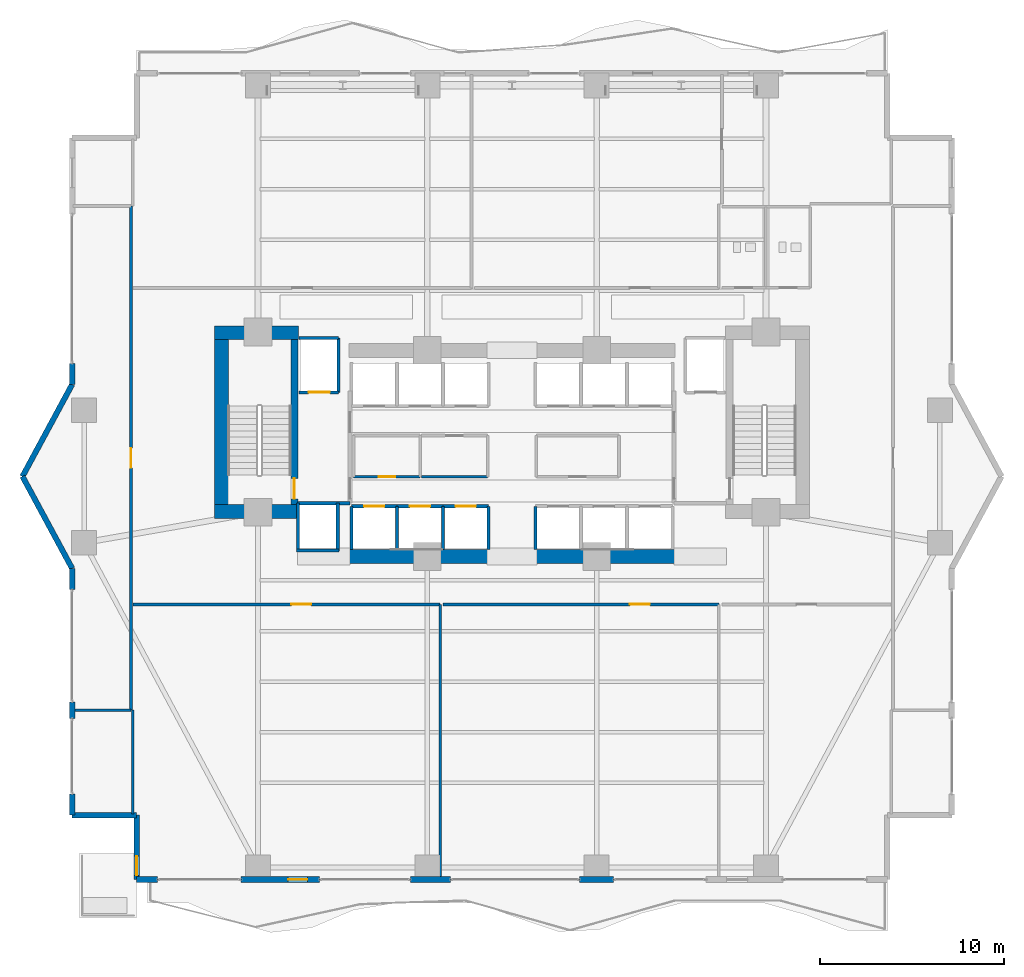
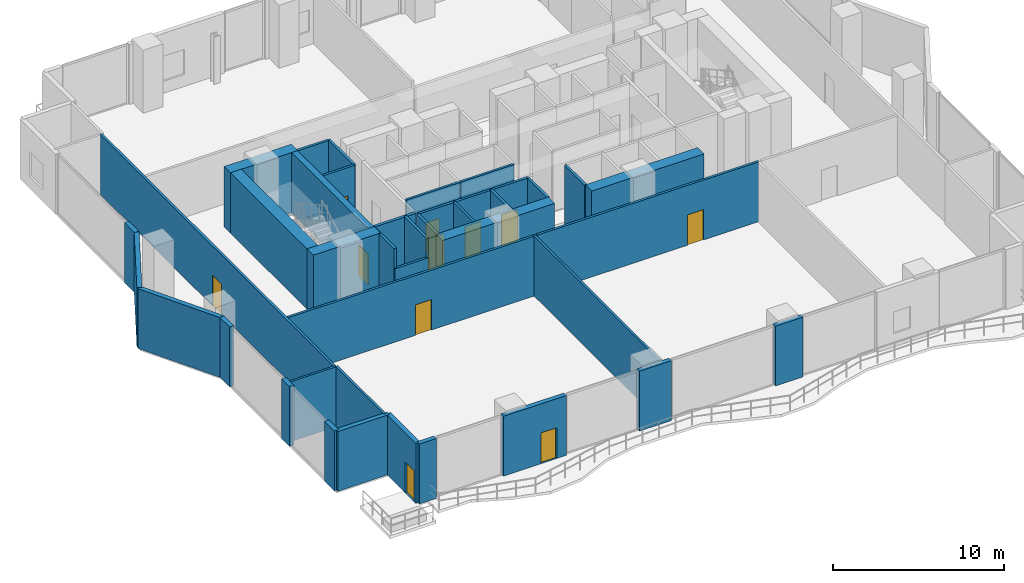
# One storey, part 26 of 33: 41 walls, 11 doors, 11 openings.
"""IFC4 building model written with IfcOpenShell, lengths in metres."""

from ifc_helpers import new_model, si_unit, direction, frame, frame_2d, origin, place, context, subcontext, project, spatial, rectangle, extrude, material, layer, layer_set, type_object, element, fill, save


model = new_model("IFC4")

# Units and contexts
model_context = context("Model", 3, precision=1e-05, world=origin(), true_north=direction((0.0, 1.0)))
body_context = subcontext(model_context, "Body", "Model", "MODEL_VIEW")
ifc_project = project(units=[si_unit("LENGTHUNIT", "METRE"), si_unit("AREAUNIT", "SQUARE_METRE"), si_unit("VOLUMEUNIT", "CUBIC_METRE"), si_unit("PLANEANGLEUNIT", "RADIAN"), si_unit("MASSUNIT", "GRAM", prefix="KILO")], contexts=[model_context])

# Site, building, storey
site_placement = place(None, origin())
site = spatial("IfcSite", under=ifc_project, at=site_placement, CompositionType="ELEMENT")
building_placement = place(site_placement, origin())
building = spatial("IfcBuilding", under=site, at=building_placement, Name="Zuhayl Quay Hotel", CompositionType="ELEMENT")
storey_placement = place(building_placement, frame((0.0, 0.0, 154.050048828125)))
storey = spatial("IfcBuildingStorey", under=building, at=storey_placement, Name="L39", CompositionType="ELEMENT", Elevation=154.050048828125)

# Walls
ifc_material_1 = material(Name="Concrete C60/75", Category="concrete")
ifc_layer_1 = layer(ifc_material_1, 0.75, Name="Concrete C60/75", Category="concrete")
ifc_layer_set_1 = layer_set([ifc_layer_1], Name="Concrete C60/75")
wall_type_1 = type_object("IfcWallType", Name="WL_CORE_750", PredefinedType="SHEAR", material=ifc_layer_set_1)
wall_1_placement = place(storey_placement, frame((-16.159912109375, 14.304931640625, 0.0), z_axis=(0.0, 0.0, 1.0), x_axis=(1.0, 0.0, 0.0)))
element("IfcWall", 1, at=wall_1_placement, inside=storey, type_object=wall_type_1, Name="L39 Core Shear Wall CW_NW", PredefinedType="SHEAR", context=body_context, shape_type="SweptSolid", body=[
    extrude(rectangle(XDim=4.559814453125, YDim=0.75, at=frame_2d((2.27978515625, 0.0))), origin(), (0.0, 0.0, 1.0), 4.31005859375),
])
wall_2_placement = place(storey_placement, frame((-15.784912109375, 4.969970703125, 0.0), z_axis=(0.0, 0.0, 1.0), x_axis=(0.0, 1.0, 0.0)))
element("IfcWall", 2, at=wall_2_placement, inside=storey, type_object=wall_type_1, Name="L39 Core Shear Wall CW_W", PredefinedType="SHEAR", context=body_context, shape_type="SweptSolid", body=[
    extrude(rectangle(XDim=8.9599609375, YDim=0.75, at=frame_2d((4.47998046875, 0.0))), origin(), (0.0, 0.0, 1.0), 4.31005859375),
])
wall_3_placement = place(storey_placement, frame((-16.159912109375, 4.594970703125, 0.0), z_axis=(0.0, 0.0, 1.0), x_axis=(1.0, 0.0, 0.0)))
element("IfcWall", 3, at=wall_3_placement, inside=storey, type_object=wall_type_1, Name="L39 Core Shear Wall CW_SW", PredefinedType="SHEAR", context=body_context, shape_type="SweptSolid", body=[
    extrude(rectangle(XDim=4.559814453125, YDim=0.75, at=frame_2d((2.27978515625, 0.0))), origin(), (0.0, 0.0, 1.0), 4.31005859375),
])
for number, where, z_axis, x_axis, name in (
    (4, (-8.85009765625, 2.14990234375, 0.0), (0.0, 0.0, 1.0), (1.0, 0.0, 0.0), "L39 Core Shear Wall CW_SC_W"),
    (5, (1.25, 2.14990234375, 0.0), (0.0, 0.0, 1.0), (1.0, 0.0, 0.0), "L39 Core Shear Wall CW_SC_E"),
):
    element("IfcWall", number, at=place(storey_placement, frame(where, z_axis=z_axis, x_axis=x_axis)), inside=storey, type_object=wall_type_1, Name=name, PredefinedType="SHEAR", context=body_context, shape_type="SweptSolid", body=[
        extrude(rectangle(XDim=7.60009765625, YDim=0.75, at=frame_2d((3.800048828125, 0.0))), origin(), (0.0, 0.0, 1.0), 4.280029296875),
    ])
ifc_material_2 = material(Name="Precast concrete C45/55", Category="concrete")
ifc_layer_2 = layer(ifc_material_2, 0.300048828125, Name="Precast concrete C45/55", Category="concrete")
ifc_layer_set_2 = layer_set([ifc_layer_2], Name="Precast concrete C45/55")
wall_type_2 = type_object("IfcWallType", Name="WL_EXT_300", PredefinedType="STANDARD", material=ifc_layer_set_2)
wall_4_placement = place(storey_placement, frame((-20.39990234375, -11.89990234375, 0.0), z_axis=(0.0, 0.0, 1.0), x_axis=(-1.0, 0.0, 0.0)))
element("IfcWall", 6, at=wall_4_placement, inside=storey, type_object=wall_type_2, Name="L39 Exterior Precast Wall ENV_L39_EW01", PredefinedType="STANDARD", context=body_context, shape_type="SweptSolid", body=[
    extrude(rectangle(XDim=3.5, YDim=0.300048828125, at=frame_2d((1.75, 0.0))), origin(), (0.0, 0.0, 1.0), 4.280029296875),
])
wall_5_placement = place(storey_placement, frame((-23.89990234375, -11.89990234375, 0.0), z_axis=(0.0, 0.0, 1.0), x_axis=(0.0, 1.0, 0.0)))
element("IfcWall", 7, at=wall_5_placement, inside=storey, type_object=wall_type_2, Name="L39 Exterior Precast Wall ENV_L39_E02_EW1", PredefinedType="STANDARD", context=body_context, shape_type="SweptSolid", body=[
    extrude(rectangle(XDim=1.14990234375, YDim=0.300048828125, at=frame_2d((0.574951171875, 0.0))), origin(), (0.0, 0.0, 1.0), 4.280029296875),
])
wall_6_placement = place(storey_placement, frame((-23.89990234375, -6.64990234375, 0.0), z_axis=(0.0, 0.0, 1.0), x_axis=(0.0, 1.0, 0.0)))
element("IfcWall", 8, at=wall_6_placement, inside=storey, type_object=wall_type_2, Name="L39 Exterior Precast Wall ENV_L39_E02_EW2", PredefinedType="STANDARD", context=body_context, shape_type="SweptSolid", body=[
    extrude(rectangle(XDim=0.89990234375, YDim=0.300048828125, at=frame_2d((0.449951171875, 0.0))), origin(), (0.0, 0.0, 1.0), 4.280029296875),
])
wall_7_placement = place(storey_placement, frame((-23.89990234375, 0.35009765625, 0.0), z_axis=(0.0, 0.0, 1.0), x_axis=(0.0, 1.0, 0.0)))
element("IfcWall", 9, at=wall_7_placement, inside=storey, type_object=wall_type_2, Name="L39 Exterior Precast Wall ENV_L39_E02_EW3", PredefinedType="STANDARD", context=body_context, shape_type="SweptSolid", body=[
    extrude(rectangle(XDim=1.14990234375, YDim=0.300048828125, at=frame_2d((0.574951171875, 0.0))), origin(), (0.0, 0.0, 1.0), 4.280029296875),
])
for number, where, z_axis, x_axis, name in (
    (10, (-23.89990234375, 1.5, 0.0), (0.0, 0.0, 1.0), (-0.475175525499, 0.879891027325, 0.0), "L39 Exterior Precast Wall ENV_L39_EW03"),
    (11, (-26.60009765625, 6.5, 0.0), (0.0, 0.0, 1.0), (0.475175525499, 0.879891027325, 0.0), "L39 Exterior Precast Wall ENV_L39_EW04"),
):
    element("IfcWall", number, at=place(storey_placement, frame(where, z_axis=z_axis, x_axis=x_axis)), inside=storey, type_object=wall_type_2, Name=name, PredefinedType="STANDARD", context=body_context, shape_type="SweptSolid", body=[
        extrude(rectangle(XDim=5.6826171875, YDim=0.300048828125, at=frame_2d((2.84130859375, 0.0))), origin(), (0.0, 0.0, 1.0), 4.280029296875),
    ])
wall_8_placement = place(storey_placement, frame((-23.89990234375, 11.5, 0.0), z_axis=(0.0, 0.0, 1.0), x_axis=(0.0, 1.0, 0.0)))
element("IfcWall", 12, at=wall_8_placement, inside=storey, type_object=wall_type_2, Name="L39 Exterior Precast Wall ENV_L39_E05_EW1", PredefinedType="STANDARD", context=body_context, shape_type="SweptSolid", body=[
    extrude(rectangle(XDim=1.14990234375, YDim=0.300048828125, at=frame_2d((0.574951171875, 0.0))), origin(), (0.0, 0.0, 1.0), 4.280029296875),
])
wall_9_placement = place(storey_placement, frame((5.52001953125, -15.39990234375, 0.0), z_axis=(0.0, 0.0, 1.0), x_axis=(-1.0, 0.0, 0.0)))
element("IfcWall", 13, at=wall_9_placement, inside=storey, type_object=wall_type_2, Name="L39 Exterior Precast Wall ENV_L39_S_EW3", PredefinedType="STANDARD", context=body_context, shape_type="SweptSolid", body=[
    extrude(rectangle(XDim=1.840087890625, YDim=0.300048828125, at=frame_2d((0.919921875, 0.0))), origin(), (0.0, 0.0, 1.0), 4.280029296875),
])
wall_10_placement = place(storey_placement, frame((-3.35009765625, -15.39990234375, 0.0), z_axis=(0.0, 0.0, 1.0), x_axis=(-1.0, 0.0, 0.0)))
element("IfcWall", 14, at=wall_10_placement, inside=storey, type_object=wall_type_2, Name="L39 Exterior Precast Wall ENV_L39_S_EW4", PredefinedType="STANDARD", context=body_context, shape_type="SweptSolid", body=[
    extrude(rectangle(XDim=2.169921875, YDim=0.300048828125, at=frame_2d((1.0849609375, 0.0))), origin(), (0.0, 0.0, 1.0), 4.280029296875),
])

# Wall, opening, door
wall_11_placement = place(storey_placement, frame((-10.465087890625, -15.39990234375, 0.0), z_axis=(0.0, 0.0, 1.0), x_axis=(-1.0, 0.0, 0.0)))
wall_11 = element("IfcWall", 15, at=wall_11_placement, inside=storey, type_object=wall_type_2, Name="L39 Exterior Precast Wall ENV_L39_S_EW5", PredefinedType="STANDARD", context=body_context, shape_type="SweptSolid", body=[
    extrude(rectangle(XDim=4.2548828125, YDim=0.300048828125, at=frame_2d((2.12744140625, 0.0))), origin(), (0.0, 0.0, 1.0), 4.280029296875),
])
opening_1_placement = place(wall_11_placement, frame((0.64990234375, 0.0, 0.0)))
opening_1 = element("IfcOpeningElement", 16, at=opening_1_placement, cuts=wall_11, Name="Opening DG1", PredefinedType="OPENING", context=body_context, shape_type="SweptSolid", body=[
    extrude(rectangle(XDim=1.050048828125, YDim=2.199951171875, at=frame_2d((0.52490234375, 1.10009765625))), frame((0.0, 0.159912109375, 0.0), z_axis=(0.0, -1.0, 0.0), x_axis=(1.0, 0.0, 0.0)), (0.0, 0.0, 1.0), 0.320068359375),
])
ifc_material_3 = material(Name="Anodised Aluminium and Dark Solar Glass", Category="aluminium")
door_type_1 = type_object("IfcDoorType", Name="DR_EXT_TERR_1050", OperationType="NOTDEFINED", PredefinedType="DOOR", material=ifc_material_3)
door_1_placement = place(opening_1_placement, origin())
door_1 = element("IfcDoor", 17, at=door_1_placement, inside=storey, type_object=door_type_1, Name="L39 South Rippling Balcony Door", OperationType="SINGLE_SWING_RIGHT", OverallHeight=2.199951171875, OverallWidth=1.050048828125, PredefinedType="DOOR", context=body_context, shape_type="SweptSolid", body=[
    extrude(rectangle(XDim=1.050048828125, YDim=2.199951171875, at=frame_2d((0.52490234375, 1.10009765625))), frame((0.0, 0.02490234375, 0.0), z_axis=(0.0, -1.0, 0.0), x_axis=(1.0, 0.0, 0.0)), (0.0, 0.0, 1.0), 0.050048828125),
])
fill(opening_1, door_1)

# Wall
wall_12_placement = place(storey_placement, frame((-19.25, -15.39990234375, 0.0), z_axis=(0.0, 0.0, 1.0), x_axis=(-1.0, 0.0, 0.0)))
element("IfcWall", 18, at=wall_12_placement, inside=storey, type_object=wall_type_2, Name="L39 Exterior Precast Wall ENV_L39_S_EW6", PredefinedType="STANDARD", context=body_context, shape_type="SweptSolid", body=[
    extrude(rectangle(XDim=1.14990234375, YDim=0.300048828125, at=frame_2d((0.574951171875, 0.0))), origin(), (0.0, 0.0, 1.0), 4.280029296875),
])

# Wall, opening, door
wall_13_placement = place(storey_placement, frame((-20.39990234375, -15.39990234375, 0.0), z_axis=(0.0, 0.0, 1.0), x_axis=(0.0, 1.0, 0.0)))
wall_13 = element("IfcWall", 19, at=wall_13_placement, inside=storey, type_object=wall_type_2, Name="L39 Exterior Precast Wall ENV_L39_SP_SW", PredefinedType="STANDARD", context=body_context, shape_type="SweptSolid", body=[
    extrude(rectangle(XDim=3.5, YDim=0.300048828125, at=frame_2d((1.75, 0.0))), origin(), (0.0, 0.0, 1.0), 4.280029296875),
])
opening_2_placement = place(wall_13_placement, frame((0.219970703125, 0.0, 0.0)))
opening_2 = element("IfcOpeningElement", 20, at=opening_2_placement, cuts=wall_13, Name="Opening DG1", PredefinedType="OPENING", context=body_context, shape_type="SweptSolid", body=[
    extrude(rectangle(XDim=1.050048828125, YDim=2.199951171875, at=frame_2d((0.52490234375, 1.10009765625))), frame((0.0, 0.159912109375, 0.0), z_axis=(0.0, -1.0, 0.0), x_axis=(1.0, 0.0, 0.0)), (0.0, 0.0, 1.0), 0.320068359375),
])
door_2_placement = place(opening_2_placement, origin())
door_2 = element("IfcDoor", 21, at=door_2_placement, inside=storey, type_object=door_type_1, Name="L39 Spiral Sky-Terrace SW Access Door", OperationType="SINGLE_SWING_LEFT", OverallHeight=2.199951171875, OverallWidth=1.050048828125, PredefinedType="DOOR", context=body_context, shape_type="SweptSolid", body=[
    extrude(rectangle(XDim=1.050048828125, YDim=2.199951171875, at=frame_2d((0.52490234375, 1.10009765625))), frame((0.0, 0.02490234375, 0.0), z_axis=(0.0, -1.0, 0.0), x_axis=(1.0, 0.0, 0.0)), (0.0, 0.0, 1.0), 0.050048828125),
])
fill(opening_2, door_2)

ifc_material_4 = material(Name="Acoustic Gypsum Partition STC-58")
ifc_layer_3 = layer(ifc_material_4, 0.14990234375, Name="Acoustic Gypsum Partition STC-58")
ifc_layer_set_3 = layer_set([ifc_layer_3], Name="Acoustic Gypsum Partition STC-58")
wall_type_3 = type_object("IfcWallType", Name="WL_PART_150", PredefinedType="PARTITIONING", material=ifc_layer_set_3)
wall_14_placement = place(storey_placement, frame((-8.610107421875, 6.47998046875, 0.0), z_axis=(0.0, 0.0, 1.0), x_axis=(1.0, 0.0, 0.0)))
wall_14 = element("IfcWall", 22, at=wall_14_placement, inside=storey, type_object=wall_type_3, Name="L39 Partition IW_L39_CORE_SW_S", PredefinedType="PARTITIONING", context=body_context, shape_type="SweptSolid", body=[
    extrude(rectangle(XDim=3.6201171875, YDim=0.14990234375, at=frame_2d((1.81005859375, 0.0))), origin(), (0.0, 0.0, 1.0), 4.280029296875),
])
opening_3_placement = place(wall_14_placement, frame((1.360107421875, 0.0, 0.0)))
opening_3 = element("IfcOpeningElement", 23, at=opening_3_placement, cuts=wall_14, Name="Opening D06", PredefinedType="OPENING", context=body_context, shape_type="SweptSolid", body=[
    extrude(rectangle(XDim=0.89990234375, YDim=2.14990234375, at=frame_2d((0.449951171875, 1.074951171875))), frame((0.0, 0.0849609375, 0.0), z_axis=(0.0, -1.0, 0.0), x_axis=(1.0, 0.0, 0.0)), (0.0, 0.0, 1.0), 0.169921875),
])
ifc_material_5 = material(Name="Steel ASTM A992 Grade 50", Category="steel")
door_type_2 = type_object("IfcDoorType", Name="DR_INT_900", OperationType="NOTDEFINED", PredefinedType="DOOR", material=ifc_material_5)
door_3_placement = place(opening_3_placement, origin())
door_3 = element("IfcDoor", 24, at=door_3_placement, inside=storey, type_object=door_type_2, Name="L39 Floor Switchgear Closet Door", OperationType="SINGLE_SWING_RIGHT", OverallHeight=2.14990234375, OverallWidth=0.89990234375, PredefinedType="DOOR", context=body_context, shape_type="SweptSolid", body=[
    extrude(rectangle(XDim=0.89990234375, YDim=2.14990234375, at=frame_2d((0.449951171875, 1.074951171875))), frame((0.0, 0.02490234375, 0.0), z_axis=(0.0, -1.0, 0.0), x_axis=(1.0, 0.0, 0.0)), (0.0, 0.0, 1.0), 0.050048828125),
])
fill(opening_3, door_3)

# Walls
wall_15_placement = place(storey_placement, frame((-4.929931640625, 6.47998046875, 0.0), z_axis=(0.0, 0.0, 1.0), x_axis=(1.0, 0.0, 0.0)))
element("IfcWall", 25, at=wall_15_placement, inside=storey, type_object=wall_type_3, Name="L39 Partition IW_L39_CORE_BM_S", PredefinedType="PARTITIONING", context=body_context, shape_type="SweptSolid", body=[
    extrude(rectangle(XDim=3.60986328125, YDim=0.14990234375, at=frame_2d((1.804931640625, 0.0))), origin(), (0.0, 0.0, 1.0), 4.280029296875),
])
wall_16_placement = place(storey_placement, frame((-23.840087890625, -6.199951171875, 0.0), z_axis=(0.0, 0.0, 1.0), x_axis=(1.0, 0.0, 0.0)))
element("IfcWall", 26, at=wall_16_placement, inside=storey, type_object=wall_type_3, Name="L39 Partition IW_L39_SKY_VIP_W_S", PredefinedType="PARTITIONING", context=body_context, shape_type="SweptSolid", body=[
    extrude(rectangle(XDim=3.14013671875, YDim=0.14990234375, at=frame_2d((1.570068359375, 0.0))), origin(), (0.0, 0.0, 1.0), 4.280029296875),
])
wall_17_placement = place(storey_placement, frame((-20.60009765625, -11.840087890625, 0.0), z_axis=(0.0, 0.0, 1.0), x_axis=(0.0, 1.0, 0.0)))
element("IfcWall", 27, at=wall_17_placement, inside=storey, type_object=wall_type_3, Name="L39 Partition IW_L39_CONCIERGE_W", PredefinedType="PARTITIONING", context=body_context, shape_type="SweptSolid", body=[
    extrude(rectangle(XDim=5.64013671875, YDim=0.14990234375, at=frame_2d((2.820068359375, 0.0))), origin(), (0.0, 0.0, 1.0), 4.280029296875),
])
wall_18_placement = place(storey_placement, frame((-3.89990234375, -15.340087890625, 0.0), z_axis=(0.0, 0.0, 1.0), x_axis=(0.0, 1.0, 0.0)))
element("IfcWall", 28, at=wall_18_placement, inside=storey, type_object=wall_type_3, Name="L39 Partition IW_L39_CONCIERGE_E", PredefinedType="PARTITIONING", context=body_context, shape_type="SweptSolid", body=[
    extrude(rectangle(XDim=14.89013671875, YDim=0.14990234375, at=frame_2d((7.445068359375, 0.0))), origin(), (0.0, 0.0, 1.0), 4.280029296875),
])

# Wall, opening, door
ifc_layer_4 = layer(ifc_material_4, 0.159912109375, Name="Acoustic Gypsum Partition STC-58")
ifc_layer_set_4 = layer_set([ifc_layer_4], Name="Acoustic Gypsum Partition STC-58")
wall_type_4 = type_object("IfcWallType", Name="WL_PART_CORR_160", PredefinedType="PARTITIONING", material=ifc_layer_set_4)
wall_19_placement = place(storey_placement, frame((-20.699951171875, -6.199951171875, 0.0), z_axis=(0.0, 0.0, 1.0), x_axis=(0.0, 1.0, 0.0)))
wall_19 = element("IfcWall", 29, at=wall_19_placement, inside=storey, type_object=wall_type_4, Name="L39 Partition IW_L39_SKY_VIP_W_E", PredefinedType="PARTITIONING", context=body_context, shape_type="SweptSolid", body=[
    extrude(rectangle(XDim=27.39990234375, YDim=0.159912109375, at=frame_2d((13.699951171875, 0.0))), origin(), (0.0, 0.0, 1.0), 4.280029296875),
])
opening_4_placement = place(wall_19_placement, frame((13.159912109375, 0.0, 0.0)))
opening_4 = element("IfcOpeningElement", 30, at=opening_4_placement, cuts=wall_19, Name="Opening D05A", PredefinedType="OPENING", context=body_context, shape_type="SweptSolid", body=[
    extrude(rectangle(XDim=1.080078125, YDim=2.179931640625, at=frame_2d((0.5400390625, 1.08984375))), frame((0.0, 0.08984375, 0.0), z_axis=(0.0, -1.0, 0.0), x_axis=(1.0, 0.0, 0.0)), (0.0, 0.0, 1.0), 0.179931640625),
])
ifc_material_6 = material(Name="Solid Walnut Acoustic Fire Door")
door_type_3 = type_object("IfcDoorType", Name="DR_INT_1100", OperationType="NOTDEFINED", PredefinedType="DOOR", material=ifc_material_6)
door_4_placement = place(opening_4_placement, origin())
door_4 = element("IfcDoor", 31, at=door_4_placement, inside=storey, type_object=door_type_3, Name="L39 West Prow Panorama Gallery Door", OperationType="SINGLE_SWING_RIGHT", OverallHeight=2.179931640625, OverallWidth=1.080078125, PredefinedType="DOOR", context=body_context, shape_type="SweptSolid", body=[
    extrude(rectangle(XDim=1.080078125, YDim=2.179931640625, at=frame_2d((0.5400390625, 1.08984375))), frame((0.0, 0.02490234375, 0.0), z_axis=(0.0, -1.0, 0.0), x_axis=(1.0, 0.0, 0.0)), (0.0, 0.0, 1.0), 0.050048828125),
])
fill(opening_4, door_4)

wall_20_placement = place(storey_placement, frame((-20.60009765625, -0.449951171875, 0.0), z_axis=(0.0, 0.0, 1.0), x_axis=(1.0, 0.0, 0.0)))
wall_20 = element("IfcWall", 32, at=wall_20_placement, inside=storey, type_object=wall_type_4, Name="L39 Partition IW_L39_CONCIERGE_N", PredefinedType="PARTITIONING", context=body_context, shape_type="SweptSolid", body=[
    extrude(rectangle(XDim=16.7001953125, YDim=0.159912109375, at=frame_2d((8.35009765625, 0.0))), origin(), (0.0, 0.0, 1.0), 4.280029296875),
])
opening_5_placement = place(wall_20_placement, frame((8.610107421875, 0.0, 0.0)))
opening_5 = element("IfcOpeningElement", 33, at=opening_5_placement, cuts=wall_20, Name="Opening D05A", PredefinedType="OPENING", context=body_context, shape_type="SweptSolid", body=[
    extrude(rectangle(XDim=1.080078125, YDim=2.179931640625, at=frame_2d((0.5400390625, 1.08984375))), frame((0.0, 0.08984375, 0.0), z_axis=(0.0, -1.0, 0.0), x_axis=(1.0, 0.0, 0.0)), (0.0, 0.0, 1.0), 0.179931640625),
])
door_5_placement = place(opening_5_placement, origin())
door_5 = element("IfcDoor", 34, at=door_5_placement, inside=storey, type_object=door_type_3, Name="L39 Sky Concierge and Transfer Desk Door", OperationType="SINGLE_SWING_LEFT", OverallHeight=2.179931640625, OverallWidth=1.080078125, PredefinedType="DOOR", context=body_context, shape_type="SweptSolid", body=[
    extrude(rectangle(XDim=1.080078125, YDim=2.179931640625, at=frame_2d((0.5400390625, 1.08984375))), frame((0.0, 0.02490234375, 0.0), z_axis=(0.0, -1.0, 0.0), x_axis=(1.0, 0.0, 0.0)), (0.0, 0.0, 1.0), 0.050048828125),
])
fill(opening_5, door_5)

wall_21_placement = place(storey_placement, frame((-3.739990234375, -0.449951171875, 0.0), z_axis=(0.0, 0.0, 1.0), x_axis=(1.0, 0.0, 0.0)))
wall_21 = element("IfcWall", 35, at=wall_21_placement, inside=storey, type_object=wall_type_4, Name="L39 Partition IW_L39_EXEC_MEET_N", PredefinedType="PARTITIONING", context=body_context, shape_type="SweptSolid", body=[
    extrude(rectangle(XDim=14.97998046875, YDim=0.159912109375, at=frame_2d((7.489990234375, 0.0))), origin(), (0.0, 0.0, 1.0), 4.280029296875),
])
opening_6_placement = place(wall_21_placement, frame((10.14990234375, 0.0, 0.0)))
opening_6 = element("IfcOpeningElement", 36, at=opening_6_placement, cuts=wall_21, Name="Opening D05A", PredefinedType="OPENING", context=body_context, shape_type="SweptSolid", body=[
    extrude(rectangle(XDim=1.080078125, YDim=2.179931640625, at=frame_2d((0.5400390625, 1.08984375))), frame((0.0, 0.08984375, 0.0), z_axis=(0.0, -1.0, 0.0), x_axis=(1.0, 0.0, 0.0)), (0.0, 0.0, 1.0), 0.179931640625),
])
door_6_placement = place(opening_6_placement, origin())
door_6 = element("IfcDoor", 37, at=door_6_placement, inside=storey, type_object=door_type_3, Name="L39 Sky Transfer VIP Boardroom Door", OperationType="SINGLE_SWING_RIGHT", OverallHeight=2.179931640625, OverallWidth=1.080078125, PredefinedType="DOOR", context=body_context, shape_type="SweptSolid", body=[
    extrude(rectangle(XDim=1.080078125, YDim=2.179931640625, at=frame_2d((0.5400390625, 1.08984375))), frame((0.0, 0.02490234375, 0.0), z_axis=(0.0, -1.0, 0.0), x_axis=(1.0, 0.0, 0.0)), (0.0, 0.0, 1.0), 0.050048828125),
])
fill(opening_6, door_6)

ifc_material_7 = material(Name="Gypsum Fireboard Assembly EI-90")
ifc_layer_5 = layer(ifc_material_7, 0.1650390625, Name="Gypsum Fireboard Assembly EI-90")
ifc_layer_set_5 = layer_set([ifc_layer_5], Name="Gypsum Fireboard Assembly EI-90")
wall_type_5 = type_object("IfcWallType", Name="WL_PART_SHAFT_160", PredefinedType="PARTITIONING", material=ifc_layer_set_5)
wall_22_placement = place(storey_placement, frame((-11.580078125, 11.070068359375, 0.0), z_axis=(0.0, 0.0, 1.0), x_axis=(1.0, 0.0, 0.0)))
wall_22 = element("IfcWall", 38, at=wall_22_placement, inside=storey, type_object=wall_type_5, Name="L39 Partition IW_L39_SH_FL1_F", PredefinedType="PARTITIONING", context=body_context, shape_type="SweptSolid", body=[
    extrude(rectangle(XDim=2.16015625, YDim=0.1650390625, at=frame_2d((1.080078125, 0.0))), origin(), (0.0, 0.0, 1.0), 4.280029296875),
])
opening_7_placement = place(wall_22_placement, frame((0.530029296875, 0.0, 0.0)))
opening_7 = element("IfcOpeningElement", 39, at=opening_7_placement, cuts=wall_22, Name="Opening LD2", PredefinedType="OPENING", context=body_context, shape_type="SweptSolid", body=[
    extrude(rectangle(XDim=1.14990234375, YDim=2.25, at=frame_2d((0.574951171875, 1.125))), frame((0.0, 0.092529296875, 0.0), z_axis=(0.0, -1.0, 0.0), x_axis=(1.0, 0.0, 0.0)), (0.0, 0.0, 1.0), 0.18505859375),
])
ifc_material_8 = material(Name="Brushed Stainless Steel", Category="steel")
door_type_4 = type_object("IfcDoorType", Name="DR_LIFT_FF_1100", OperationType="SLIDING_TO_LEFT", PredefinedType="DOOR", material=ifc_material_8)
door_7_placement = place(opening_7_placement, origin())
door_7 = element("IfcDoor", 40, at=door_7_placement, inside=storey, type_object=door_type_4, Name="L39 Lift FL1 Sliding Landing Door", OperationType="SLIDING_TO_LEFT", OverallHeight=2.25, OverallWidth=1.14990234375, PredefinedType="DOOR", context=body_context, shape_type="SweptSolid", body=[
    extrude(rectangle(XDim=1.14990234375, YDim=2.25, at=frame_2d((0.574951171875, 1.125))), frame((0.0, 0.02490234375, 0.0), z_axis=(0.0, -1.0, 0.0), x_axis=(1.0, 0.0, 0.0)), (0.0, 0.0, 1.0), 0.050048828125),
])
fill(opening_7, door_7)

wall_23_placement = place(storey_placement, frame((-8.72998046875, 4.8798828125, 0.0), z_axis=(0.0, 0.0, 1.0), x_axis=(1.0, 0.0, 0.0)))
wall_23 = element("IfcWall", 41, at=wall_23_placement, inside=storey, type_object=wall_type_5, Name="L39 Partition IW_L39_SH_LP1_F", PredefinedType="PARTITIONING", context=body_context, shape_type="SweptSolid", body=[
    extrude(rectangle(XDim=2.47998046875, YDim=0.1650390625, at=frame_2d((1.239990234375, 0.0))), origin(), (0.0, 0.0, 1.0), 4.280029296875),
])
opening_8_placement = place(wall_23_placement, frame((0.68994140625, 0.0, 0.0)))
opening_8 = element("IfcOpeningElement", 42, at=opening_8_placement, cuts=wall_23, Name="Opening LD1", PredefinedType="OPENING", context=body_context, shape_type="SweptSolid", body=[
    extrude(rectangle(XDim=1.10009765625, YDim=2.25, at=frame_2d((0.550048828125, 1.125))), frame((0.0, 0.092529296875, 0.0), z_axis=(0.0, -1.0, 0.0), x_axis=(1.0, 0.0, 0.0)), (0.0, 0.0, 1.0), 0.18505859375),
])
door_type_5 = type_object("IfcDoorType", Name="DR_LIFT_PASS_1100", OperationType="SLIDING_TO_LEFT", PredefinedType="DOOR", material=ifc_material_8)
door_8_placement = place(opening_8_placement, origin())
door_8 = element("IfcDoor", 43, at=door_8_placement, inside=storey, type_object=door_type_5, Name="L39 Lift LP1 Sliding Landing Door", OperationType="SLIDING_TO_LEFT", OverallHeight=2.25, OverallWidth=1.10009765625, PredefinedType="DOOR", context=body_context, shape_type="SweptSolid", body=[
    extrude(rectangle(XDim=1.10009765625, YDim=2.25, at=frame_2d((0.550048828125, 1.125))), frame((0.0, 0.02490234375, 0.0), z_axis=(0.0, -1.0, 0.0), x_axis=(1.0, 0.0, 0.0)), (0.0, 0.0, 1.0), 0.050048828125),
])
fill(opening_8, door_8)

wall_24_placement = place(storey_placement, frame((-6.25, 4.8798828125, 0.0), z_axis=(0.0, 0.0, 1.0), x_axis=(1.0, 0.0, 0.0)))
wall_24 = element("IfcWall", 44, at=wall_24_placement, inside=storey, type_object=wall_type_5, Name="L39 Partition IW_L39_SH_LP2_F", PredefinedType="PARTITIONING", context=body_context, shape_type="SweptSolid", body=[
    extrude(rectangle(XDim=2.5, YDim=0.1650390625, at=frame_2d((1.25, 0.0))), origin(), (0.0, 0.0, 1.0), 4.280029296875),
])
opening_9_placement = place(wall_24_placement, frame((0.699951171875, 0.0, 0.0)))
opening_9 = element("IfcOpeningElement", 45, at=opening_9_placement, cuts=wall_24, Name="Opening LD1", PredefinedType="OPENING", context=body_context, shape_type="SweptSolid", body=[
    extrude(rectangle(XDim=1.10009765625, YDim=2.25, at=frame_2d((0.550048828125, 1.125))), frame((0.0, 0.092529296875, 0.0), z_axis=(0.0, -1.0, 0.0), x_axis=(1.0, 0.0, 0.0)), (0.0, 0.0, 1.0), 0.18505859375),
])
door_9_placement = place(opening_9_placement, origin())
door_9 = element("IfcDoor", 46, at=door_9_placement, inside=storey, type_object=door_type_5, Name="L39 Lift LP2 Sliding Landing Door", OperationType="SLIDING_TO_LEFT", OverallHeight=2.25, OverallWidth=1.10009765625, PredefinedType="DOOR", context=body_context, shape_type="SweptSolid", body=[
    extrude(rectangle(XDim=1.10009765625, YDim=2.25, at=frame_2d((0.550048828125, 1.125))), frame((0.0, 0.02490234375, 0.0), z_axis=(0.0, -1.0, 0.0), x_axis=(1.0, 0.0, 0.0)), (0.0, 0.0, 1.0), 0.050048828125),
])
fill(opening_9, door_9)

wall_25_placement = place(storey_placement, frame((-3.75, 4.8798828125, 0.0), z_axis=(0.0, 0.0, 1.0), x_axis=(1.0, 0.0, 0.0)))
wall_25 = element("IfcWall", 47, at=wall_25_placement, inside=storey, type_object=wall_type_5, Name="L39 Partition IW_L39_SH_MP1_F", PredefinedType="PARTITIONING", context=body_context, shape_type="SweptSolid", body=[
    extrude(rectangle(XDim=2.47998046875, YDim=0.1650390625, at=frame_2d((1.239990234375, 0.0))), origin(), (0.0, 0.0, 1.0), 4.280029296875),
])
opening_10_placement = place(wall_25_placement, frame((0.68994140625, 0.0, 0.0)))
opening_10 = element("IfcOpeningElement", 48, at=opening_10_placement, cuts=wall_25, Name="Opening LD1", PredefinedType="OPENING", context=body_context, shape_type="SweptSolid", body=[
    extrude(rectangle(XDim=1.10009765625, YDim=2.25, at=frame_2d((0.550048828125, 1.125))), frame((0.0, 0.092529296875, 0.0), z_axis=(0.0, -1.0, 0.0), x_axis=(1.0, 0.0, 0.0)), (0.0, 0.0, 1.0), 0.18505859375),
])
door_10_placement = place(opening_10_placement, origin())
door_10 = element("IfcDoor", 49, at=door_10_placement, inside=storey, type_object=door_type_5, Name="L39 Lift MP1 Sliding Landing Door", OperationType="SLIDING_TO_LEFT", OverallHeight=2.25, OverallWidth=1.10009765625, PredefinedType="DOOR", context=body_context, shape_type="SweptSolid", body=[
    extrude(rectangle(XDim=1.10009765625, YDim=2.25, at=frame_2d((0.550048828125, 1.125))), frame((0.0, 0.02490234375, 0.0), z_axis=(0.0, -1.0, 0.0), x_axis=(1.0, 0.0, 0.0)), (0.0, 0.0, 1.0), 0.050048828125),
])
fill(opening_10, door_10)

# Walls
wall_26_placement = place(storey_placement, frame((-9.419921875, 11.070068359375, 0.0), z_axis=(0.0, 0.0, 1.0), x_axis=(0.0, 1.0, 0.0)))
element("IfcWall", 50, at=wall_26_placement, inside=storey, type_object=wall_type_5, Name="L39 Partition IW_L39_SH_FL1_E", PredefinedType="PARTITIONING", context=body_context, shape_type="SweptSolid", body=[
    extrude(rectangle(XDim=2.9599609375, YDim=0.1650390625, at=frame_2d((1.47998046875, 0.0))), origin(), (0.0, 0.0, 1.0), 4.280029296875),
])
wall_27_placement = place(storey_placement, frame((-11.580078125, 14.030029296875, 0.0), z_axis=(0.0, 0.0, 1.0), x_axis=(1.0, 0.0, 0.0)))
element("IfcWall", 51, at=wall_27_placement, inside=storey, type_object=wall_type_5, Name="L39 Partition IW_L39_SH_FL1_B", PredefinedType="PARTITIONING", context=body_context, shape_type="SweptSolid", body=[
    extrude(rectangle(XDim=2.16015625, YDim=0.1650390625, at=frame_2d((1.080078125, 0.0))), origin(), (0.0, 0.0, 1.0), 4.280029296875),
])
for number, where, z_axis, x_axis, name in (
    (52, (-8.72998046875, 2.52001953125, 0.0), (0.0, 0.0, 1.0), (0.0, 1.0, 0.0), "L39 Partition IW_L39_SH_LP1_W"),
    (53, (-6.25, 2.52001953125, 0.0), (0.0, 0.0, 1.0), (0.0, 1.0, 0.0), "L39 Partition IW_L39_SH_LP1_E"),
    (54, (-3.75, 2.52001953125, 0.0), (0.0, 0.0, 1.0), (0.0, 1.0, 0.0), "L39 Partition IW_L39_SH_LP2_E"),
    (55, (-1.27001953125, 2.52001953125, 0.0), (0.0, 0.0, 1.0), (0.0, 1.0, 0.0), "L39 Partition IW_L39_SH_MP1_E"),
    (56, (1.27001953125, 2.52001953125, 0.0), (0.0, 0.0, 1.0), (0.0, 1.0, 0.0), "L39 Partition IW_L39_SH_MP2_W"),
):
    element("IfcWall", number, at=place(storey_placement, frame(where, z_axis=z_axis, x_axis=x_axis)), inside=storey, type_object=wall_type_5, Name=name, PredefinedType="PARTITIONING", context=body_context, shape_type="SweptSolid", body=[
        extrude(rectangle(XDim=2.35986328125, YDim=0.1650390625, at=frame_2d((1.179931640625, 0.0))), origin(), (0.0, 0.0, 1.0), 4.280029296875),
    ])
wall_28_placement = place(storey_placement, frame((-11.6298828125, 2.469970703125, 0.0), z_axis=(0.0, 0.0, 1.0), x_axis=(0.0, 1.0, 0.0)))
element("IfcWall", 57, at=wall_28_placement, inside=storey, type_object=wall_type_5, Name="L39 Partition IW_L39_RISER_W", PredefinedType="PARTITIONING", context=body_context, shape_type="SweptSolid", body=[
    extrude(rectangle(XDim=2.580078125, YDim=0.1650390625, at=frame_2d((1.2900390625, 0.0))), origin(), (0.0, 0.0, 1.0), 4.280029296875),
])
wall_29_placement = place(storey_placement, frame((-11.7099609375, 2.469970703125, 0.0), z_axis=(0.0, 0.0, 1.0), x_axis=(1.0, 0.0, 0.0)))
element("IfcWall", 58, at=wall_29_placement, inside=storey, type_object=wall_type_5, Name="L39 Partition IW_L39_RISER_S", PredefinedType="PARTITIONING", context=body_context, shape_type="SweptSolid", body=[
    extrude(rectangle(XDim=2.31005859375, YDim=0.1650390625, at=frame_2d((1.155029296875, 0.0))), origin(), (0.0, 0.0, 1.0), 2.8798828125),
])
ifc_layer_6 = layer(ifc_material_7, 0.179931640625, Name="Gypsum Fireboard Assembly EI-90")
ifc_layer_set_6 = layer_set([ifc_layer_6], Name="Gypsum Fireboard Assembly EI-90")
wall_type_6 = type_object("IfcWallType", Name="WL_PART_SHAFT_180", PredefinedType="PARTITIONING", material=ifc_layer_set_6)
wall_30_placement = place(storey_placement, frame((-9.469970703125, 2.449951171875, 0.0), z_axis=(0.0, 0.0, 1.0), x_axis=(0.0, 1.0, 0.0)))
element("IfcWall", 59, at=wall_30_placement, inside=storey, type_object=wall_type_6, Name="L39 Partition IW_L39_RISER_E", PredefinedType="PARTITIONING", context=body_context, shape_type="SweptSolid", body=[
    extrude(rectangle(XDim=2.60009765625, YDim=0.179931640625, at=frame_2d((1.300048828125, 0.0))), origin(), (0.0, 0.0, 1.0), 4.280029296875),
])
ifc_material_9 = material(Name="Gypsum Fireboard Assembly EI-120")
ifc_layer_7 = layer(ifc_material_9, 0.199951171875, Name="Gypsum Fireboard Assembly EI-120")
ifc_layer_set_7 = layer_set([ifc_layer_7], Name="Gypsum Fireboard Assembly EI-120")
wall_type_7 = type_object("IfcWallType", Name="WL_PART_SHAFT_200", PredefinedType="PARTITIONING", material=ifc_layer_set_7)
wall_31_placement = place(storey_placement, frame((-11.64990234375, 5.050048828125, 0.0), z_axis=(0.0, 0.0, 1.0), x_axis=(1.0, 0.0, 0.0)))
element("IfcWall", 60, at=wall_31_placement, inside=storey, type_object=wall_type_7, Name="L39 Partition IW_L39_FSAE_W_S", PredefinedType="PARTITIONING", context=body_context, shape_type="SweptSolid", body=[
    extrude(rectangle(XDim=2.849853515625, YDim=0.199951171875, at=frame_2d((1.4248046875, 0.0))), origin(), (0.0, 0.0, 1.0), 4.280029296875),
])

# Wall, opening, door
ifc_layer_8 = layer(ifc_material_1, 0.39990234375, Name="Concrete C60/75", Category="concrete")
ifc_layer_set_8 = layer_set([ifc_layer_8], Name="Concrete C60/75")
wall_type_8 = type_object("IfcWallType", Name="WL_STAIR_400", PredefinedType="SHEAR", material=ifc_layer_set_8)
wall_32_placement = place(storey_placement, frame((-11.820068359375, 4.969970703125, 0.0), z_axis=(0.0, 0.0, 1.0), x_axis=(0.0, 1.0, 0.0)))
wall_32 = element("IfcWall", 61, at=wall_32_placement, inside=storey, type_object=wall_type_8, Name="L39 Core Shear Wall SW_ST1", PredefinedType="SHEAR", context=body_context, shape_type="SweptSolid", body=[
    extrude(rectangle(XDim=8.9599609375, YDim=0.39990234375, at=frame_2d((4.47998046875, 0.0))), origin(), (0.0, 0.0, 1.0), 4.31005859375),
])
opening_11_placement = place(wall_32_placement, frame((0.31005859375, 0.0, 0.0)))
opening_11 = element("IfcOpeningElement", 62, at=opening_11_placement, cuts=wall_32, Name="Opening D01", PredefinedType="OPENING", context=body_context, shape_type="SweptSolid", body=[
    extrude(rectangle(XDim=1.1201171875, YDim=2.219970703125, at=frame_2d((0.56005859375, 1.10986328125))), frame((0.0, 0.2099609375, 0.0), z_axis=(0.0, -1.0, 0.0), x_axis=(1.0, 0.0, 0.0)), (0.0, 0.0, 1.0), 0.419921875),
])
door_type_6 = type_object("IfcDoorType", Name="DR_STAIR_90_1100", OperationType="NOTDEFINED", PredefinedType="DOOR", material=ifc_material_5)
door_11_placement = place(opening_11_placement, origin())
door_11 = element("IfcDoor", 63, at=door_11_placement, inside=storey, type_object=door_type_6, Name="L39 Smokeproof Exit Stair ST1 Door", OperationType="SINGLE_SWING_LEFT", OverallHeight=2.219970703125, OverallWidth=1.1201171875, PredefinedType="DOOR", context=body_context, shape_type="SweptSolid", body=[
    extrude(rectangle(XDim=1.1201171875, YDim=2.219970703125, at=frame_2d((0.56005859375, 1.10986328125))), frame((0.0, 0.02490234375, 0.0), z_axis=(0.0, -1.0, 0.0), x_axis=(1.0, 0.0, 0.0)), (0.0, 0.0, 1.0), 0.050048828125),
])
fill(opening_11, door_11)

save(model, "model.ifc")
